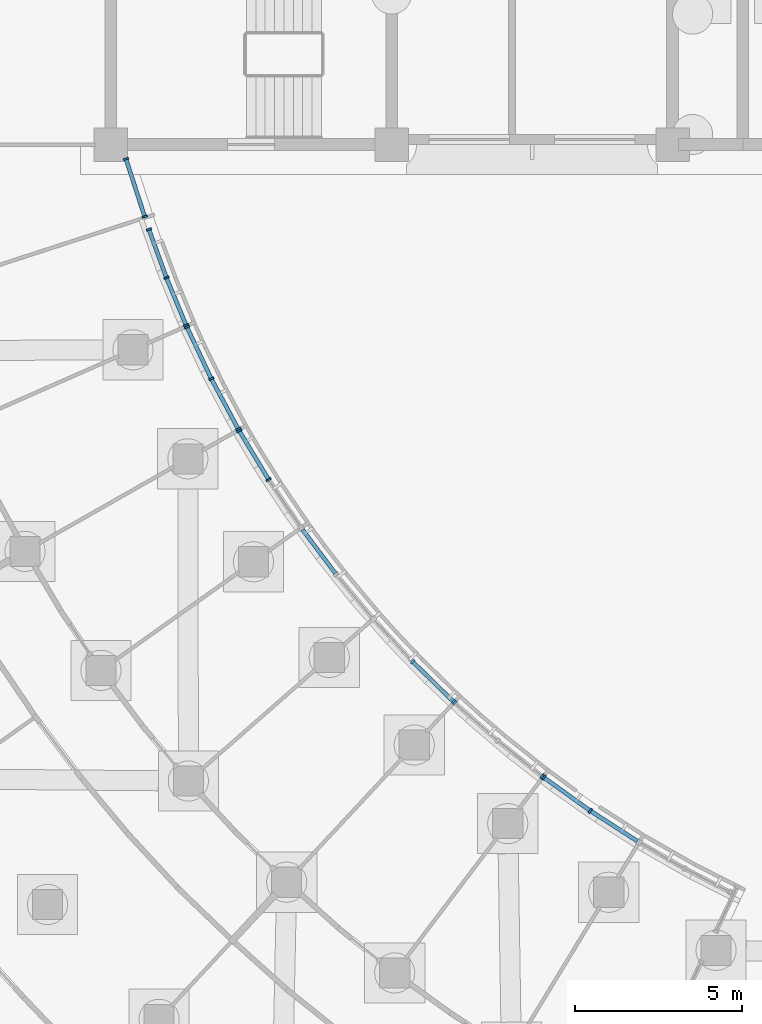
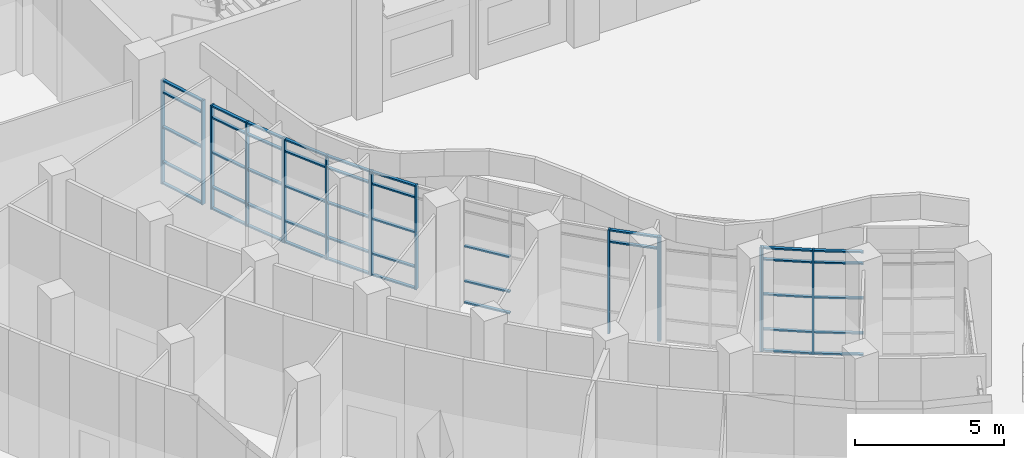
# One storey, part 27 of 146: 61 members, 8 elements without a shape of their own.
"""IFC4 building model written with IfcOpenShell, lengths in metres."""

import ifcopenshell
import ifcopenshell.guid

model = None  # the IFC model being written
_history = None  # IfcOwnerHistory: only IFC2X3 demands one
_inside = {}  # id of a spatial element -> (the spatial element, [elements in it])
_under = {}  # id of a project, library or spatial element -> (it, [spatial elements below it])
_declared = {}  # id of a project -> (the project, [libraries it declares])
_typed = {}  # id of a type object -> (the type object, [elements of that type])
_made_of = {}  # id of a material, layer set ... -> (it, [elements and type objects made of it])


def new_model(schema):
    """Start an empty IFC model of exactly this schema.

    Asked for "IFC4X3", IfcOpenShell would pick the latest addendum, in which some entities
    have other attributes; the version numbers below select the first issue.
    IFC2X3 requires an IfcOwnerHistory on every rooted entity: one is made here for all.
    """
    global model, _history
    if schema == "IFC4X3":
        model = ifcopenshell.file(schema_version=(4, 3, 0, 0))
    else:
        model = ifcopenshell.file(schema=schema)
    _inside.clear()
    _under.clear()
    _declared.clear()
    _typed.clear()
    _made_of.clear()
    _history = None
    if model.schema == "IFC2X3":
        org = make("IfcOrganization", Name="unknown")
        user = make(
            "IfcPersonAndOrganization",
            ThePerson=make("IfcPerson", FamilyName="unknown"),
            TheOrganization=org,
        )
        app = make(
            "IfcApplication",
            ApplicationDeveloper=org,
            Version="unknown",
            ApplicationFullName="unknown",
            ApplicationIdentifier="unknown",
        )
        _history = make(
            "IfcOwnerHistory",
            OwningUser=user,
            OwningApplication=app,
            ChangeAction="ADDED",
            CreationDate=0,
        )
    return model


def make(cls, **values):
    """One entity of the class cls with the attributes given. An attribute that is None is left unset."""
    return model.create_entity(
        cls, **{name: value for name, value in values.items() if value is not None}
    )


def rooted(cls, **values):
    """An entity with a GlobalId (a new one), such as an element, a storey or a relation."""
    return make(cls, GlobalId=ifcopenshell.guid.new(), OwnerHistory=_history, **values)


def si_unit(unit_type, name, prefix=None):
    """IfcSIUnit, for example si_unit("LENGTHUNIT", "METRE", prefix="MILLI")."""
    return make("IfcSIUnit", UnitType=unit_type, Prefix=prefix, Name=name)


def assignment(units):
    """IfcUnitAssignment: the units of a project."""
    return None if units is None else make("IfcUnitAssignment", Units=units)


def point(xyz):
    """IfcCartesianPoint."""
    return None if xyz is None else make("IfcCartesianPoint", Coordinates=xyz)


def direction(xyz):
    """IfcDirection."""
    return None if xyz is None else make("IfcDirection", DirectionRatios=xyz)


def frame(location, z_axis=None, x_axis=None):
    """IfcAxis2Placement3D, a coordinate frame: its origin and axes. An axis left out is left unset."""
    return make(
        "IfcAxis2Placement3D",
        Location=point(location),
        Axis=direction(z_axis),
        RefDirection=direction(x_axis),
    )


def frame_2d(location, x_axis=None):
    """IfcAxis2Placement2D, a coordinate frame in the plane: its origin and x axis."""
    return make(
        "IfcAxis2Placement2D", Location=point(location), RefDirection=direction(x_axis)
    )


def origin():
    """The frame at (0, 0, 0) with its axes left unset."""
    return frame((0.0, 0.0, 0.0))


def origin_2d():
    """The frame at (0, 0) in the plane with its x axis left unset."""
    return frame_2d((0.0, 0.0))


def place(relative_to, where):
    """IfcLocalPlacement: puts the frame where relative to a parent placement (None: the world)."""
    return make(
        "IfcLocalPlacement", PlacementRelTo=relative_to, RelativePlacement=where
    )


def context(
    kind, dimensions, precision=None, world=None, true_north=None, identifier=None
):
    """IfcGeometricRepresentationContext, for example the 3D "Model" context."""
    return make(
        "IfcGeometricRepresentationContext",
        ContextIdentifier=identifier,
        ContextType=kind,
        CoordinateSpaceDimension=dimensions,
        Precision=precision,
        WorldCoordinateSystem=world,
        TrueNorth=true_north,
    )


def subcontext(parent, identifier, kind, view, scale=None):
    """IfcGeometricRepresentationSubContext, for example "Body" below "Model"."""
    return make(
        "IfcGeometricRepresentationSubContext",
        ContextIdentifier=identifier,
        ContextType=kind,
        ParentContext=parent,
        TargetScale=scale,
        TargetView=view,
    )


def project(units=None, contexts=None):
    """IfcProject with its units and contexts."""
    return rooted(
        "IfcProject",
        Name="project",
        RepresentationContexts=contexts,
        UnitsInContext=assignment(units),
    )


def spatial(cls, under=None, at=None, **own):
    """A site, building, storey or space (cls), placed at a placement, below another one or the project."""
    s = rooted(cls, ObjectPlacement=at, **own)
    if under is not None:
        _under.setdefault(under.id(), (under, []))[1].append(s)
    return s


def profile(cls, at=None, kind="AREA", **sizes):
    """A parametric profile (cls). Its sizes go by their IFC names, for example OverallWidth=200.0."""
    return make(cls, ProfileType=kind, Position=at, **sizes)


def rectangle(**sizes):
    """IfcRectangleProfileDef."""
    return profile("IfcRectangleProfileDef", **sizes)


def extrude(swept, where, along, depth):
    """IfcExtrudedAreaSolid: the profile swept, set in the frame where, extruded along a direction by depth."""
    return make(
        "IfcExtrudedAreaSolid",
        SweptArea=swept,
        Position=where,
        ExtrudedDirection=direction(along),
        Depth=depth,
    )


def shape(context_of_items, identifier, shape_type, items):
    """IfcShapeRepresentation: the items that make up one representation, for example the "Body"."""
    return make(
        "IfcShapeRepresentation",
        ContextOfItems=context_of_items,
        RepresentationIdentifier=identifier,
        RepresentationType=shape_type,
        Items=items,
    )


def material(Name=None, Category=None):
    """IfcMaterial."""
    return make("IfcMaterial", Name=Name, Category=Category)


def material_profile(
    of_material, cross_section, Name=None, Category=None, Priority=None
):
    """IfcMaterialProfile: a cross section and its material."""
    return make(
        "IfcMaterialProfile",
        Name=Name,
        Material=of_material,
        Profile=cross_section,
        Priority=Priority,
        Category=Category,
    )


def profile_set(profiles, Name=None, composite=None):
    """IfcMaterialProfileSet."""
    return make(
        "IfcMaterialProfileSet",
        Name=Name,
        MaterialProfiles=profiles,
        CompositeProfile=composite,
    )


def made_of(thing, what):
    """Note that an element or type object is made of a material, layer set ...; save() writes the relation."""
    if what is not None:
        _made_of.setdefault(what.id(), (what, []))[1].append(thing)
    return thing


def type_object(cls, material=None, **own):
    """A type object (cls), such as IfcWallType, which elements share."""
    return made_of(rooted(cls, **own), material)


def element(
    cls,
    number,
    at=None,
    inside=None,
    cuts=None,
    type_object=None,
    material=None,
    context=None,
    identifier="Body",
    shape_type=None,
    held_by="IfcProductDefinitionShape",
    body=None,
    shapes=None,
    **own,
):
    """One element of the class cls, such as IfcWall. Its Tag is "e" and its number.

    at: its placement. inside: the storey or other place that contains it. cuts: it is an
    opening in that element (IfcRelVoidsElement). A single representation is given by context,
    identifier, shape_type and body (its items); several are given by shapes. held_by: the class
    of the entity that holds the representations. save() writes the other relations.
    """
    e = rooted(cls, Tag="e%d" % number, ObjectPlacement=at, **own)
    if body is not None:
        shapes = [shape(context, identifier, shape_type, body)]
    if shapes is not None:
        e.Representation = make(held_by, Representations=shapes)
    if inside is not None:
        _inside.setdefault(inside.id(), (inside, []))[1].append(e)
    if cuts is not None:
        rooted(
            "IfcRelVoidsElement", RelatingBuildingElement=cuts, RelatedOpeningElement=e
        )
    if type_object is not None:
        _typed.setdefault(type_object.id(), (type_object, []))[1].append(e)
    return made_of(e, material)


def aggregate(whole, parts):
    """IfcRelAggregates: a whole, such as a stair, and the parts it consists of."""
    return rooted("IfcRelAggregates", RelatingObject=whole, RelatedObjects=parts)


def save(model, path):
    """Write the relations noted so far, then the file.

    IfcRelAggregates (storeys below a building ...), IfcRelContainedInSpatialStructure (elements
    in a storey), IfcRelDefinesByType, IfcRelAssociatesMaterial and IfcRelDeclares: one each for
    every whole, place, type object, material and project.
    """
    for whole, parts in _under.values():
        aggregate(whole, parts)
    for where, things in _inside.values():
        rooted(
            "IfcRelContainedInSpatialStructure",
            RelatedElements=things,
            RelatingStructure=where,
        )
    for kind, things in _typed.values():
        rooted("IfcRelDefinesByType", RelatedObjects=things, RelatingType=kind)
    for what, things in _made_of.values():
        rooted("IfcRelAssociatesMaterial", RelatedObjects=things, RelatingMaterial=what)
    for by, libraries in _declared.values():
        rooted("IfcRelDeclares", RelatingContext=by, RelatedDefinitions=libraries)
    model.write(path)


model = new_model("IFC4")

# Units and contexts
model_context = context("Model", 3, precision=1e-05, world=origin(), true_north=direction((0.0, 1.0)))
body_context = subcontext(model_context, "Body", "Model", "MODEL_VIEW")
ifc_project = project(units=[si_unit("LENGTHUNIT", "METRE"), si_unit("AREAUNIT", "SQUARE_METRE"), si_unit("VOLUMEUNIT", "CUBIC_METRE"), si_unit("PLANEANGLEUNIT", "RADIAN"), si_unit("MASSUNIT", "GRAM", prefix="KILO")], contexts=[model_context])

# Site, building, storey
site_placement = place(None, origin())
site = spatial("IfcSite", under=ifc_project, at=site_placement, CompositionType="ELEMENT")
building_placement = place(site_placement, origin())
building = spatial("IfcBuilding", under=site, at=building_placement, Name="Bougainvillea Quay General Hospital", CompositionType="ELEMENT")
storey_placement = place(building_placement, origin())
storey = spatial("IfcBuildingStorey", under=building, at=storey_placement, Name="L00", CompositionType="ELEMENT", Elevation=0.0)

# Curtain wall, members
ifc_material_1 = material(Name="Aluminium curtain wall system, powder-coated glazed", Category="aluminium")
curtain_wall_type_1 = type_object("IfcCurtainWallType", Name="Unitised curtain wall CW-2100", PredefinedType="NOTDEFINED", material=ifc_material_1)
curtain_wall_1_placement = place(storey_placement, origin())
curtain_wall_1 = element("IfcCurtainWall", 1, at=curtain_wall_1_placement, inside=storey, type_object=curtain_wall_type_1, Name="CW-W02 a11b1", PredefinedType="NOTDEFINED")
ifc_material_2 = material(Name="Aluminium mullion, powder-coated charcoal", Category="aluminium")
ifc_material_profile_1 = material_profile(ifc_material_2, rectangle(XDim=0.159912109375, YDim=0.06005859375, at=origin_2d()))
ifc_profile_set_1 = profile_set([ifc_material_profile_1], Name="Aluminium mullion, powder-coated charcoal")
member_type_1 = type_object("IfcMemberType", Name="Curtain wall mullion 160x60", PredefinedType="MULLION", material=ifc_profile_set_1)
member_1_placement = place(storey_placement, frame((89.939697265625, 97.6787109375, 0.0), z_axis=(0.0, 0.0, 1.0), x_axis=(-0.562343185136, -0.826903949762, 0.0)))
member_1 = element("IfcMember", 2, at=member_1_placement, type_object=member_type_1, Name="CW-W02 mullion 2", PredefinedType="MULLION", context=body_context, shape_type="SweptSolid", body=[
    extrude(rectangle(XDim=0.159912109375, YDim=0.06005859375, at=origin_2d()), origin(), (0.0, 0.0, 1.0), 4.25),
])
member_2_placement = place(storey_placement, frame((88.552978515625, 98.674072265625, 0.0), z_axis=(0.0, 0.0, 1.0), x_axis=(-0.583130104218, -0.812378779606, 0.0)))
member_2 = element("IfcMember", 3, at=member_2_placement, type_object=member_type_1, Name="CW-W02 mullion 3", PredefinedType="MULLION", context=body_context, shape_type="SweptSolid", body=[
    extrude(rectangle(XDim=0.159912109375, YDim=0.06005859375, at=origin_2d()), origin(), (0.0, 0.0, 1.0), 4.25),
])

curtain_wall_2_placement = place(storey_placement, origin())
curtain_wall_2 = element("IfcCurtainWall", 4, at=curtain_wall_2_placement, inside=storey, type_object=curtain_wall_type_1, Name="CW-W03 a11b2", PredefinedType="NOTDEFINED")
member_3_placement = place(storey_placement, frame((88.50537109375, 98.710205078125, 0.0), z_axis=(0.0, 0.0, 1.0), x_axis=(-0.623565824026, -0.781770850765, 0.0)))
member_3 = element("IfcMember", 5, at=member_3_placement, type_object=member_type_1, Name="CW-W03 mullion 1", PredefinedType="MULLION", context=body_context, shape_type="SweptSolid", body=[
    extrude(rectangle(XDim=0.159912109375, YDim=0.06005859375, at=origin_2d()), origin(), (0.0, 0.0, 1.0), 4.25),
])
member_4_placement = place(storey_placement, frame((85.89208984375, 100.9052734375, 0.0), z_axis=(0.0, 0.0, 1.0), x_axis=(-0.662397799417, -0.749152291145, 0.0)))
member_4 = element("IfcMember", 6, at=member_4_placement, type_object=member_type_1, Name="CW-W03 mullion 3", PredefinedType="MULLION", context=body_context, shape_type="SweptSolid", body=[
    extrude(rectangle(XDim=0.159912109375, YDim=0.06005859375, at=origin_2d()), origin(), (0.0, 0.0, 1.0), 4.25),
])
aggregate(curtain_wall_2, [member_3, member_4])

curtain_wall_3_placement = place(storey_placement, origin())
curtain_wall_3 = element("IfcCurtainWall", 7, at=curtain_wall_3_placement, inside=storey, type_object=curtain_wall_type_1, Name="CW-W04 a11b3", PredefinedType="NOTDEFINED")
member_5_placement = place(storey_placement, frame((85.84814453125, 100.946044921875, 0.0), z_axis=(0.0, 0.0, 1.0), x_axis=(-0.699526158712, -0.714606992183, 0.0)))
member_5 = element("IfcMember", 8, at=member_5_placement, type_object=member_type_1, Name="CW-W04 mullion 1", PredefinedType="MULLION", context=body_context, shape_type="SweptSolid", body=[
    extrude(rectangle(XDim=0.159912109375, YDim=0.06005859375, at=origin_2d()), origin(), (0.0, 0.0, 1.0), 4.25),
])
member_6_placement = place(storey_placement, frame((84.62841796875, 102.14013671875, 0.0), z_axis=(0.0, 0.0, 1.0), x_axis=(-0.717421463702, -0.69663939267, 0.0)))
member_6 = element("IfcMember", 9, at=member_6_placement, type_object=member_type_1, Name="CW-W04 mullion 2", PredefinedType="MULLION", context=body_context, shape_type="SweptSolid", body=[
    extrude(rectangle(XDim=0.159912109375, YDim=0.06005859375, at=origin_2d()), origin(), (0.0, 0.0, 1.0), 4.25),
])

curtain_wall_4_placement = place(storey_placement, origin())
curtain_wall_4 = element("IfcCurtainWall", 10, at=curtain_wall_4_placement, inside=storey, type_object=curtain_wall_type_1, Name="CW-W06 a11b5", PredefinedType="NOTDEFINED")
member_7_placement = place(storey_placement, frame((80.32470703125, 107.580322265625, 0.0), z_axis=(0.0, 0.0, 1.0), x_axis=(-0.843072457331, -0.537799992275, 0.0)))
member_7 = element("IfcMember", 11, at=member_7_placement, type_object=member_type_1, Name="CW-W06 mullion 2", PredefinedType="MULLION", context=body_context, shape_type="SweptSolid", body=[
    extrude(rectangle(XDim=0.159912109375, YDim=0.06005859375, at=origin_2d()), origin(), (0.0, 0.0, 1.0), 4.25),
])
member_8_placement = place(storey_placement, frame((79.443603515625, 109.042236328125, 0.0), z_axis=(0.0, 0.0, 1.0), x_axis=(-0.856438326455, -0.516249351553, 0.0)))
member_8 = element("IfcMember", 12, at=member_8_placement, type_object=member_type_1, Name="CW-W06 mullion 3", PredefinedType="MULLION", context=body_context, shape_type="SweptSolid", body=[
    extrude(rectangle(XDim=0.159912109375, YDim=0.06005859375, at=origin_2d()), origin(), (0.0, 0.0, 1.0), 4.25),
])

curtain_wall_5_placement = place(storey_placement, origin())
curtain_wall_5 = element("IfcCurtainWall", 13, at=curtain_wall_5_placement, inside=storey, type_object=curtain_wall_type_1, Name="CW-W07 a11b6", PredefinedType="NOTDEFINED")
member_9_placement = place(storey_placement, frame((79.4140625, 109.094482421875, 0.0), z_axis=(0.0, 0.0, 1.0), x_axis=(-0.881509557333, -0.472166178724, 0.0)))
member_9 = element("IfcMember", 14, at=member_9_placement, type_object=member_type_1, Name="CW-W07 mullion 1", PredefinedType="MULLION", context=body_context, shape_type="SweptSolid", body=[
    extrude(rectangle(XDim=0.159912109375, YDim=0.06005859375, at=origin_2d()), origin(), (0.0, 0.0, 1.0), 4.25),
])
member_10_placement = place(storey_placement, frame((78.60791015625, 110.59912109375, 0.0), z_axis=(0.0, 0.0, 1.0), x_axis=(-0.893198796365, -0.449661995473, 0.0)))
member_10 = element("IfcMember", 15, at=member_10_placement, type_object=member_type_1, Name="CW-W07 mullion 2", PredefinedType="MULLION", context=body_context, shape_type="SweptSolid", body=[
    extrude(rectangle(XDim=0.159912109375, YDim=0.06005859375, at=origin_2d()), origin(), (0.0, 0.0, 1.0), 4.25),
])
member_11_placement = place(storey_placement, frame((77.87939453125, 112.142822265625, 0.0), z_axis=(0.0, 0.0, 1.0), x_axis=(-0.904313640176, -0.426868645126, 0.0)))
member_11 = element("IfcMember", 16, at=member_11_placement, type_object=member_type_1, Name="CW-W07 mullion 3", PredefinedType="MULLION", context=body_context, shape_type="SweptSolid", body=[
    extrude(rectangle(XDim=0.159912109375, YDim=0.06005859375, at=origin_2d()), origin(), (0.0, 0.0, 1.0), 4.25),
])

curtain_wall_6_placement = place(storey_placement, origin())
curtain_wall_6 = element("IfcCurtainWall", 17, at=curtain_wall_6_placement, inside=storey, type_object=curtain_wall_type_1, Name="CW-W08 a11b7", PredefinedType="NOTDEFINED")
member_12_placement = place(storey_placement, frame((77.85498046875, 112.197509765625, 0.0), z_axis=(0.0, 0.0, 1.0), x_axis=(-0.923843470036, -0.382770483282, 0.0)))
member_12 = element("IfcMember", 18, at=member_12_placement, type_object=member_type_1, Name="CW-W08 mullion 1", PredefinedType="MULLION", context=body_context, shape_type="SweptSolid", body=[
    extrude(rectangle(XDim=0.159912109375, YDim=0.06005859375, at=origin_2d()), origin(), (0.0, 0.0, 1.0), 4.25),
])
member_13_placement = place(storey_placement, frame((77.266845703125, 113.6171875, 0.0), z_axis=(0.0, 0.0, 1.0), x_axis=(-0.932356633806, -0.361539911211, 0.0)))
member_13 = element("IfcMember", 19, at=member_13_placement, type_object=member_type_1, Name="CW-W08 mullion 2", PredefinedType="MULLION", context=body_context, shape_type="SweptSolid", body=[
    extrude(rectangle(XDim=0.159912109375, YDim=0.06005859375, at=origin_2d()), origin(), (0.0, 0.0, 1.0), 4.25),
])
member_14_placement = place(storey_placement, frame((76.744140625, 115.0625, 0.0), z_axis=(0.0, 0.0, 1.0), x_axis=(-0.940381978185, -0.340120177444, 0.0)))
member_14 = element("IfcMember", 20, at=member_14_placement, type_object=member_type_1, Name="CW-W08 mullion 3", PredefinedType="MULLION", context=body_context, shape_type="SweptSolid", body=[
    extrude(rectangle(XDim=0.159912109375, YDim=0.06005859375, at=origin_2d()), origin(), (0.0, 0.0, 1.0), 4.25),
])

curtain_wall_type_2 = type_object("IfcCurtainWallType", Name="Unitised curtain wall CW-1875", PredefinedType="NOTDEFINED", material=ifc_material_1)
curtain_wall_7_placement = place(storey_placement, origin())
curtain_wall_7 = element("IfcCurtainWall", 21, at=curtain_wall_7_placement, inside=storey, type_object=curtain_wall_type_2, Name="CW-AE 00", PredefinedType="NOTDEFINED")
member_15_placement = place(storey_placement, frame((76.616943359375, 115.4443359375, 0.0), z_axis=(0.0, 0.0, 1.0), x_axis=(-0.951071619809, -0.308970506674, 0.0)))
member_15 = element("IfcMember", 22, at=member_15_placement, type_object=member_type_1, Name="CW-AE mullion 1", PredefinedType="MULLION", context=body_context, shape_type="SweptSolid", body=[
    extrude(rectangle(XDim=0.159912109375, YDim=0.06005859375, at=origin_2d()), origin(), (0.0, 0.0, 1.0), 4.25),
])
member_16_placement = place(storey_placement, frame((76.056396484375, 117.169921875, 0.0), z_axis=(0.0, 0.0, 1.0), x_axis=(-0.951071619809, -0.308970506674, 0.0)))
member_16 = element("IfcMember", 23, at=member_16_placement, type_object=member_type_1, Name="CW-AE mullion 2", PredefinedType="MULLION", context=body_context, shape_type="SweptSolid", body=[
    extrude(rectangle(XDim=0.159912109375, YDim=0.06005859375, at=origin_2d()), origin(), (0.0, 0.0, 1.0), 4.25),
])

# Member
ifc_material_3 = material(Name="Aluminium transom, powder-coated charcoal", Category="aluminium")
ifc_material_profile_2 = material_profile(ifc_material_3, rectangle(XDim=0.1201171875, YDim=0.06005859375, at=origin_2d()))
ifc_profile_set_2 = profile_set([ifc_material_profile_2], Name="Aluminium transom, powder-coated charcoal")
member_type_2 = type_object("IfcMemberType", Name="Curtain wall transom 120x60", PredefinedType="USERDEFINED", material=ifc_profile_set_2)
member_17_placement = place(storey_placement, frame((91.349853515625, 96.77099609375, 0.030029296875), z_axis=(-0.840860427207, 0.541252013352, 0.0), x_axis=(-0.541252013352, -0.840860427207, 0.0)))
member_17 = element("IfcMember", 24, at=member_17_placement, type_object=member_type_2, Name="CW-W02 transom 1.1", ObjectType="TRANSOM", PredefinedType="USERDEFINED", context=body_context, shape_type="SweptSolid", body=[
    extrude(rectangle(XDim=0.1201171875, YDim=0.06005859375, at=origin_2d()), origin(), (0.0, 0.0, 1.0), 1.646728515625),
])

member_18_placement = place(storey_placement, frame((91.349853515625, 96.77099609375, 0.89990234375), z_axis=(-0.840860427207, 0.541252013352, 0.0), x_axis=(-0.541252013352, -0.840860427207, 0.0)))
member_18 = element("IfcMember", 25, at=member_18_placement, type_object=member_type_2, Name="CW-W02 transom 1.2", ObjectType="TRANSOM", PredefinedType="USERDEFINED", context=body_context, shape_type="SweptSolid", body=[
    extrude(rectangle(XDim=0.1201171875, YDim=0.06005859375, at=origin_2d()), origin(), (0.0, 0.0, 1.0), 1.646728515625),
])

member_19_placement = place(storey_placement, frame((91.349853515625, 96.77099609375, 2.324951171875), z_axis=(-0.840860427207, 0.541252013352, 0.0), x_axis=(-0.541252013352, -0.840860427207, 0.0)))
member_19 = element("IfcMember", 26, at=member_19_placement, type_object=member_type_2, Name="CW-W02 transom 1.3", ObjectType="TRANSOM", PredefinedType="USERDEFINED", context=body_context, shape_type="SweptSolid", body=[
    extrude(rectangle(XDim=0.1201171875, YDim=0.06005859375, at=origin_2d()), origin(), (0.0, 0.0, 1.0), 1.646728515625),
])

member_20_placement = place(storey_placement, frame((91.349853515625, 96.77099609375, 3.75), z_axis=(-0.840860427207, 0.541252013352, 0.0), x_axis=(-0.541252013352, -0.840860427207, 0.0)))
member_20 = element("IfcMember", 27, at=member_20_placement, type_object=member_type_2, Name="CW-W02 transom 1.4", ObjectType="TRANSOM", PredefinedType="USERDEFINED", context=body_context, shape_type="SweptSolid", body=[
    extrude(rectangle(XDim=0.1201171875, YDim=0.06005859375, at=origin_2d()), origin(), (0.0, 0.0, 1.0), 1.646728515625),
])

member_21_placement = place(storey_placement, frame((91.349853515625, 96.77099609375, 4.219970703125), z_axis=(-0.840860427207, 0.541252013352, 0.0), x_axis=(-0.541252013352, -0.840860427207, 0.0)))
member_21 = element("IfcMember", 28, at=member_21_placement, type_object=member_type_2, Name="CW-W02 transom 1.5", ObjectType="TRANSOM", PredefinedType="USERDEFINED", context=body_context, shape_type="SweptSolid", body=[
    extrude(rectangle(XDim=0.1201171875, YDim=0.06005859375, at=origin_2d()), origin(), (0.0, 0.0, 1.0), 1.646728515625),
])

member_22_placement = place(storey_placement, frame((89.91552734375, 97.696044921875, 0.030029296875), z_axis=(-0.812399348414, 0.583101448032, 0.0), x_axis=(-0.583101448032, -0.812399348414, 0.0)))
member_22 = element("IfcMember", 29, at=member_22_placement, type_object=member_type_2, Name="CW-W02 transom 2.1", ObjectType="TRANSOM", PredefinedType="USERDEFINED", context=body_context, shape_type="SweptSolid", body=[
    extrude(rectangle(XDim=0.1201171875, YDim=0.06005859375, at=origin_2d()), origin(), (0.0, 0.0, 1.0), 1.647216796875),
])

member_23_placement = place(storey_placement, frame((89.91552734375, 97.696044921875, 0.89990234375), z_axis=(-0.812399348414, 0.583101448032, 0.0), x_axis=(-0.583101448032, -0.812399348414, 0.0)))
member_23 = element("IfcMember", 30, at=member_23_placement, type_object=member_type_2, Name="CW-W02 transom 2.2", ObjectType="TRANSOM", PredefinedType="USERDEFINED", context=body_context, shape_type="SweptSolid", body=[
    extrude(rectangle(XDim=0.1201171875, YDim=0.06005859375, at=origin_2d()), origin(), (0.0, 0.0, 1.0), 1.647216796875),
])

member_24_placement = place(storey_placement, frame((89.91552734375, 97.696044921875, 2.324951171875), z_axis=(-0.812399348414, 0.583101448032, 0.0), x_axis=(-0.583101448032, -0.812399348414, 0.0)))
member_24 = element("IfcMember", 31, at=member_24_placement, type_object=member_type_2, Name="CW-W02 transom 2.3", ObjectType="TRANSOM", PredefinedType="USERDEFINED", context=body_context, shape_type="SweptSolid", body=[
    extrude(rectangle(XDim=0.1201171875, YDim=0.06005859375, at=origin_2d()), origin(), (0.0, 0.0, 1.0), 1.647216796875),
])

member_25_placement = place(storey_placement, frame((89.91552734375, 97.696044921875, 3.75), z_axis=(-0.812399348414, 0.583101448032, 0.0), x_axis=(-0.583101448032, -0.812399348414, 0.0)))
member_25 = element("IfcMember", 32, at=member_25_placement, type_object=member_type_2, Name="CW-W02 transom 2.4", ObjectType="TRANSOM", PredefinedType="USERDEFINED", context=body_context, shape_type="SweptSolid", body=[
    extrude(rectangle(XDim=0.1201171875, YDim=0.06005859375, at=origin_2d()), origin(), (0.0, 0.0, 1.0), 1.647216796875),
])

member_26_placement = place(storey_placement, frame((89.91552734375, 97.696044921875, 4.219970703125), z_axis=(-0.812399348414, 0.583101448032, 0.0), x_axis=(-0.583101448032, -0.812399348414, 0.0)))
member_26 = element("IfcMember", 33, at=member_26_placement, type_object=member_type_2, Name="CW-W02 transom 2.5", ObjectType="TRANSOM", PredefinedType="USERDEFINED", context=body_context, shape_type="SweptSolid", body=[
    extrude(rectangle(XDim=0.1201171875, YDim=0.06005859375, at=origin_2d()), origin(), (0.0, 0.0, 1.0), 1.647216796875),
])

aggregate(curtain_wall_1, [member_1, member_2, member_17, member_18, member_19, member_20, member_21, member_22, member_23, member_24, member_25, member_26])

member_27_placement = place(storey_placement, frame((85.82666015625, 100.967041015625, 3.75), z_axis=(-0.714553654445, 0.699580642184, 0.0), x_axis=(-0.699580642184, -0.714553654445, 0.0)))
member_27 = element("IfcMember", 34, at=member_27_placement, type_object=member_type_2, Name="CW-W04 transom 1.4", ObjectType="TRANSOM", PredefinedType="USERDEFINED", context=body_context, shape_type="SweptSolid", body=[
    extrude(rectangle(XDim=0.1201171875, YDim=0.06005859375, at=origin_2d()), origin(), (0.0, 0.0, 1.0), 1.646728515625),
])

member_28_placement = place(storey_placement, frame((85.82666015625, 100.967041015625, 4.219970703125), z_axis=(-0.714553654445, 0.699580642184, 0.0), x_axis=(-0.699580642184, -0.714553654445, 0.0)))
member_28 = element("IfcMember", 35, at=member_28_placement, type_object=member_type_2, Name="CW-W04 transom 1.5", ObjectType="TRANSOM", PredefinedType="USERDEFINED", context=body_context, shape_type="SweptSolid", body=[
    extrude(rectangle(XDim=0.1201171875, YDim=0.06005859375, at=origin_2d()), origin(), (0.0, 0.0, 1.0), 1.646728515625),
])

aggregate(curtain_wall_3, [member_5, member_6, member_27, member_28])

# Curtain wall, members
curtain_wall_8_placement = place(storey_placement, origin())
curtain_wall_8 = element("IfcCurtainWall", 36, at=curtain_wall_8_placement, inside=storey, type_object=curtain_wall_type_1, Name="CW-W05 a11b4", PredefinedType="NOTDEFINED")
member_29_placement = place(storey_placement, frame((82.320556640625, 104.775146484375, 0.030029296875), z_axis=(-0.600355707015, 0.799733096135, 0.0), x_axis=(-0.799733096135, -0.600355707015, 0.0)))
member_29 = element("IfcMember", 37, at=member_29_placement, type_object=member_type_2, Name="CW-W05 transom 2.1", ObjectType="TRANSOM", PredefinedType="USERDEFINED", context=body_context, shape_type="SweptSolid", body=[
    extrude(rectangle(XDim=0.1201171875, YDim=0.06005859375, at=origin_2d()), origin(), (0.0, 0.0, 1.0), 1.64697265625),
])
member_30_placement = place(storey_placement, frame((82.320556640625, 104.775146484375, 0.89990234375), z_axis=(-0.600355707015, 0.799733096135, 0.0), x_axis=(-0.799733096135, -0.600355707015, 0.0)))
member_30 = element("IfcMember", 38, at=member_30_placement, type_object=member_type_2, Name="CW-W05 transom 2.2", ObjectType="TRANSOM", PredefinedType="USERDEFINED", context=body_context, shape_type="SweptSolid", body=[
    extrude(rectangle(XDim=0.1201171875, YDim=0.06005859375, at=origin_2d()), origin(), (0.0, 0.0, 1.0), 1.64697265625),
])
member_31_placement = place(storey_placement, frame((82.320556640625, 104.775146484375, 2.324951171875), z_axis=(-0.600355707015, 0.799733096135, 0.0), x_axis=(-0.799733096135, -0.600355707015, 0.0)))
member_31 = element("IfcMember", 39, at=member_31_placement, type_object=member_type_2, Name="CW-W05 transom 2.3", ObjectType="TRANSOM", PredefinedType="USERDEFINED", context=body_context, shape_type="SweptSolid", body=[
    extrude(rectangle(XDim=0.1201171875, YDim=0.06005859375, at=origin_2d()), origin(), (0.0, 0.0, 1.0), 1.64697265625),
])
aggregate(curtain_wall_8, [member_29, member_30, member_31])

# Member
member_32_placement = place(storey_placement, frame((80.309326171875, 107.606201171875, 0.030029296875), z_axis=(-0.516217069017, 0.856457785098, 0.0), x_axis=(-0.856457785098, -0.516217069017, 0.0)))
member_32 = element("IfcMember", 40, at=member_32_placement, type_object=member_type_2, Name="CW-W06 transom 2.1", ObjectType="TRANSOM", PredefinedType="USERDEFINED", context=body_context, shape_type="SweptSolid", body=[
    extrude(rectangle(XDim=0.1201171875, YDim=0.06005859375, at=origin_2d()), origin(), (0.0, 0.0, 1.0), 1.646728515625),
])

member_33_placement = place(storey_placement, frame((80.309326171875, 107.606201171875, 0.89990234375), z_axis=(-0.516217069017, 0.856457785098, 0.0), x_axis=(-0.856457785098, -0.516217069017, 0.0)))
member_33 = element("IfcMember", 41, at=member_33_placement, type_object=member_type_2, Name="CW-W06 transom 2.2", ObjectType="TRANSOM", PredefinedType="USERDEFINED", context=body_context, shape_type="SweptSolid", body=[
    extrude(rectangle(XDim=0.1201171875, YDim=0.06005859375, at=origin_2d()), origin(), (0.0, 0.0, 1.0), 1.646728515625),
])

member_34_placement = place(storey_placement, frame((80.309326171875, 107.606201171875, 2.324951171875), z_axis=(-0.516217069017, 0.856457785098, 0.0), x_axis=(-0.856457785098, -0.516217069017, 0.0)))
member_34 = element("IfcMember", 42, at=member_34_placement, type_object=member_type_2, Name="CW-W06 transom 2.3", ObjectType="TRANSOM", PredefinedType="USERDEFINED", context=body_context, shape_type="SweptSolid", body=[
    extrude(rectangle(XDim=0.1201171875, YDim=0.06005859375, at=origin_2d()), origin(), (0.0, 0.0, 1.0), 1.646728515625),
])

member_35_placement = place(storey_placement, frame((80.309326171875, 107.606201171875, 3.75), z_axis=(-0.516217069017, 0.856457785098, 0.0), x_axis=(-0.856457785098, -0.516217069017, 0.0)))
member_35 = element("IfcMember", 43, at=member_35_placement, type_object=member_type_2, Name="CW-W06 transom 2.4", ObjectType="TRANSOM", PredefinedType="USERDEFINED", context=body_context, shape_type="SweptSolid", body=[
    extrude(rectangle(XDim=0.1201171875, YDim=0.06005859375, at=origin_2d()), origin(), (0.0, 0.0, 1.0), 1.646728515625),
])

member_36_placement = place(storey_placement, frame((80.309326171875, 107.606201171875, 4.219970703125), z_axis=(-0.516217069017, 0.856457785098, 0.0), x_axis=(-0.856457785098, -0.516217069017, 0.0)))
member_36 = element("IfcMember", 44, at=member_36_placement, type_object=member_type_2, Name="CW-W06 transom 2.5", ObjectType="TRANSOM", PredefinedType="USERDEFINED", context=body_context, shape_type="SweptSolid", body=[
    extrude(rectangle(XDim=0.1201171875, YDim=0.06005859375, at=origin_2d()), origin(), (0.0, 0.0, 1.0), 1.646728515625),
])

aggregate(curtain_wall_4, [member_7, member_8, member_32, member_33, member_34, member_35, member_36])

member_37_placement = place(storey_placement, frame((79.39990234375, 109.120849609375, 0.030029296875), z_axis=(-0.472233752021, 0.881473359468, 0.0), x_axis=(-0.881473359468, -0.472233752021, 0.0)))
member_37 = element("IfcMember", 45, at=member_37_placement, type_object=member_type_2, Name="CW-W07 transom 1.1", ObjectType="TRANSOM", PredefinedType="USERDEFINED", context=body_context, shape_type="SweptSolid", body=[
    extrude(rectangle(XDim=0.1201171875, YDim=0.06005859375, at=origin_2d()), origin(), (0.0, 0.0, 1.0), 1.647216796875),
])

member_38_placement = place(storey_placement, frame((79.39990234375, 109.120849609375, 0.89990234375), z_axis=(-0.472233752021, 0.881473359468, 0.0), x_axis=(-0.881473359468, -0.472233752021, 0.0)))
member_38 = element("IfcMember", 46, at=member_38_placement, type_object=member_type_2, Name="CW-W07 transom 1.2", ObjectType="TRANSOM", PredefinedType="USERDEFINED", context=body_context, shape_type="SweptSolid", body=[
    extrude(rectangle(XDim=0.1201171875, YDim=0.06005859375, at=origin_2d()), origin(), (0.0, 0.0, 1.0), 1.647216796875),
])

member_39_placement = place(storey_placement, frame((79.39990234375, 109.120849609375, 2.324951171875), z_axis=(-0.472233752021, 0.881473359468, 0.0), x_axis=(-0.881473359468, -0.472233752021, 0.0)))
member_39 = element("IfcMember", 47, at=member_39_placement, type_object=member_type_2, Name="CW-W07 transom 1.3", ObjectType="TRANSOM", PredefinedType="USERDEFINED", context=body_context, shape_type="SweptSolid", body=[
    extrude(rectangle(XDim=0.1201171875, YDim=0.06005859375, at=origin_2d()), origin(), (0.0, 0.0, 1.0), 1.647216796875),
])

member_40_placement = place(storey_placement, frame((79.39990234375, 109.120849609375, 3.75), z_axis=(-0.472233752021, 0.881473359468, 0.0), x_axis=(-0.881473359468, -0.472233752021, 0.0)))
member_40 = element("IfcMember", 48, at=member_40_placement, type_object=member_type_2, Name="CW-W07 transom 1.4", ObjectType="TRANSOM", PredefinedType="USERDEFINED", context=body_context, shape_type="SweptSolid", body=[
    extrude(rectangle(XDim=0.1201171875, YDim=0.06005859375, at=origin_2d()), origin(), (0.0, 0.0, 1.0), 1.647216796875),
])

member_41_placement = place(storey_placement, frame((79.39990234375, 109.120849609375, 4.219970703125), z_axis=(-0.472233752021, 0.881473359468, 0.0), x_axis=(-0.881473359468, -0.472233752021, 0.0)))
member_41 = element("IfcMember", 49, at=member_41_placement, type_object=member_type_2, Name="CW-W07 transom 1.5", ObjectType="TRANSOM", PredefinedType="USERDEFINED", context=body_context, shape_type="SweptSolid", body=[
    extrude(rectangle(XDim=0.1201171875, YDim=0.06005859375, at=origin_2d()), origin(), (0.0, 0.0, 1.0), 1.647216796875),
])

member_42_placement = place(storey_placement, frame((78.59521484375, 110.626220703125, 0.030029296875), z_axis=(-0.426938963693, 0.904280443934, 0.0), x_axis=(-0.904280443934, -0.426938963693, 0.0)))
member_42 = element("IfcMember", 50, at=member_42_placement, type_object=member_type_2, Name="CW-W07 transom 2.1", ObjectType="TRANSOM", PredefinedType="USERDEFINED", context=body_context, shape_type="SweptSolid", body=[
    extrude(rectangle(XDim=0.1201171875, YDim=0.06005859375, at=origin_2d()), origin(), (0.0, 0.0, 1.0), 1.64697265625),
])

member_43_placement = place(storey_placement, frame((78.59521484375, 110.626220703125, 0.89990234375), z_axis=(-0.426938963693, 0.904280443934, 0.0), x_axis=(-0.904280443934, -0.426938963693, 0.0)))
member_43 = element("IfcMember", 51, at=member_43_placement, type_object=member_type_2, Name="CW-W07 transom 2.2", ObjectType="TRANSOM", PredefinedType="USERDEFINED", context=body_context, shape_type="SweptSolid", body=[
    extrude(rectangle(XDim=0.1201171875, YDim=0.06005859375, at=origin_2d()), origin(), (0.0, 0.0, 1.0), 1.64697265625),
])

member_44_placement = place(storey_placement, frame((78.59521484375, 110.626220703125, 2.324951171875), z_axis=(-0.426938963693, 0.904280443934, 0.0), x_axis=(-0.904280443934, -0.426938963693, 0.0)))
member_44 = element("IfcMember", 52, at=member_44_placement, type_object=member_type_2, Name="CW-W07 transom 2.3", ObjectType="TRANSOM", PredefinedType="USERDEFINED", context=body_context, shape_type="SweptSolid", body=[
    extrude(rectangle(XDim=0.1201171875, YDim=0.06005859375, at=origin_2d()), origin(), (0.0, 0.0, 1.0), 1.64697265625),
])

member_45_placement = place(storey_placement, frame((78.59521484375, 110.626220703125, 3.75), z_axis=(-0.426938963693, 0.904280443934, 0.0), x_axis=(-0.904280443934, -0.426938963693, 0.0)))
member_45 = element("IfcMember", 53, at=member_45_placement, type_object=member_type_2, Name="CW-W07 transom 2.4", ObjectType="TRANSOM", PredefinedType="USERDEFINED", context=body_context, shape_type="SweptSolid", body=[
    extrude(rectangle(XDim=0.1201171875, YDim=0.06005859375, at=origin_2d()), origin(), (0.0, 0.0, 1.0), 1.64697265625),
])

member_46_placement = place(storey_placement, frame((78.59521484375, 110.626220703125, 4.219970703125), z_axis=(-0.426938963693, 0.904280443934, 0.0), x_axis=(-0.904280443934, -0.426938963693, 0.0)))
member_46 = element("IfcMember", 54, at=member_46_placement, type_object=member_type_2, Name="CW-W07 transom 2.5", ObjectType="TRANSOM", PredefinedType="USERDEFINED", context=body_context, shape_type="SweptSolid", body=[
    extrude(rectangle(XDim=0.1201171875, YDim=0.06005859375, at=origin_2d()), origin(), (0.0, 0.0, 1.0), 1.64697265625),
])

aggregate(curtain_wall_5, [member_9, member_10, member_11, member_37, member_38, member_39, member_40, member_41, member_42, member_43, member_44, member_45, member_46])

member_47_placement = place(storey_placement, frame((77.843505859375, 112.225341796875, 0.030029296875), z_axis=(-0.382736296067, 0.923857633877, 0.0), x_axis=(-0.923857633877, -0.382736296067, 0.0)))
member_47 = element("IfcMember", 55, at=member_47_placement, type_object=member_type_2, Name="CW-W08 transom 1.1", ObjectType="TRANSOM", PredefinedType="USERDEFINED", context=body_context, shape_type="SweptSolid", body=[
    extrude(rectangle(XDim=0.1201171875, YDim=0.06005859375, at=origin_2d()), origin(), (0.0, 0.0, 1.0), 1.476806640625),
])

member_48_placement = place(storey_placement, frame((77.843505859375, 112.225341796875, 0.89990234375), z_axis=(-0.382736296067, 0.923857633877, 0.0), x_axis=(-0.923857633877, -0.382736296067, 0.0)))
member_48 = element("IfcMember", 56, at=member_48_placement, type_object=member_type_2, Name="CW-W08 transom 1.2", ObjectType="TRANSOM", PredefinedType="USERDEFINED", context=body_context, shape_type="SweptSolid", body=[
    extrude(rectangle(XDim=0.1201171875, YDim=0.06005859375, at=origin_2d()), origin(), (0.0, 0.0, 1.0), 1.476806640625),
])

member_49_placement = place(storey_placement, frame((77.843505859375, 112.225341796875, 2.324951171875), z_axis=(-0.382736296067, 0.923857633877, 0.0), x_axis=(-0.923857633877, -0.382736296067, 0.0)))
member_49 = element("IfcMember", 57, at=member_49_placement, type_object=member_type_2, Name="CW-W08 transom 1.3", ObjectType="TRANSOM", PredefinedType="USERDEFINED", context=body_context, shape_type="SweptSolid", body=[
    extrude(rectangle(XDim=0.1201171875, YDim=0.06005859375, at=origin_2d()), origin(), (0.0, 0.0, 1.0), 1.476806640625),
])

member_50_placement = place(storey_placement, frame((77.843505859375, 112.225341796875, 3.75), z_axis=(-0.382736296067, 0.923857633877, 0.0), x_axis=(-0.923857633877, -0.382736296067, 0.0)))
member_50 = element("IfcMember", 58, at=member_50_placement, type_object=member_type_2, Name="CW-W08 transom 1.4", ObjectType="TRANSOM", PredefinedType="USERDEFINED", context=body_context, shape_type="SweptSolid", body=[
    extrude(rectangle(XDim=0.1201171875, YDim=0.06005859375, at=origin_2d()), origin(), (0.0, 0.0, 1.0), 1.476806640625),
])

member_51_placement = place(storey_placement, frame((77.843505859375, 112.225341796875, 4.219970703125), z_axis=(-0.382736296067, 0.923857633877, 0.0), x_axis=(-0.923857633877, -0.382736296067, 0.0)))
member_51 = element("IfcMember", 59, at=member_51_placement, type_object=member_type_2, Name="CW-W08 transom 1.5", ObjectType="TRANSOM", PredefinedType="USERDEFINED", context=body_context, shape_type="SweptSolid", body=[
    extrude(rectangle(XDim=0.1201171875, YDim=0.06005859375, at=origin_2d()), origin(), (0.0, 0.0, 1.0), 1.476806640625),
])

member_52_placement = place(storey_placement, frame((77.256591796875, 113.6455078125, 0.030029296875), z_axis=(-0.340083199438, 0.940395351679, 0.0), x_axis=(-0.940395351679, -0.340083199438, 0.0)))
member_52 = element("IfcMember", 60, at=member_52_placement, type_object=member_type_2, Name="CW-W08 transom 2.1", ObjectType="TRANSOM", PredefinedType="USERDEFINED", context=body_context, shape_type="SweptSolid", body=[
    extrude(rectangle(XDim=0.1201171875, YDim=0.06005859375, at=origin_2d()), origin(), (0.0, 0.0, 1.0), 1.476806640625),
])

member_53_placement = place(storey_placement, frame((77.256591796875, 113.6455078125, 0.89990234375), z_axis=(-0.340083199438, 0.940395351679, 0.0), x_axis=(-0.940395351679, -0.340083199438, 0.0)))
member_53 = element("IfcMember", 61, at=member_53_placement, type_object=member_type_2, Name="CW-W08 transom 2.2", ObjectType="TRANSOM", PredefinedType="USERDEFINED", context=body_context, shape_type="SweptSolid", body=[
    extrude(rectangle(XDim=0.1201171875, YDim=0.06005859375, at=origin_2d()), origin(), (0.0, 0.0, 1.0), 1.476806640625),
])

member_54_placement = place(storey_placement, frame((77.256591796875, 113.6455078125, 2.324951171875), z_axis=(-0.340083199438, 0.940395351679, 0.0), x_axis=(-0.940395351679, -0.340083199438, 0.0)))
member_54 = element("IfcMember", 62, at=member_54_placement, type_object=member_type_2, Name="CW-W08 transom 2.3", ObjectType="TRANSOM", PredefinedType="USERDEFINED", context=body_context, shape_type="SweptSolid", body=[
    extrude(rectangle(XDim=0.1201171875, YDim=0.06005859375, at=origin_2d()), origin(), (0.0, 0.0, 1.0), 1.476806640625),
])

member_55_placement = place(storey_placement, frame((77.256591796875, 113.6455078125, 3.75), z_axis=(-0.340083199438, 0.940395351679, 0.0), x_axis=(-0.940395351679, -0.340083199438, 0.0)))
member_55 = element("IfcMember", 63, at=member_55_placement, type_object=member_type_2, Name="CW-W08 transom 2.4", ObjectType="TRANSOM", PredefinedType="USERDEFINED", context=body_context, shape_type="SweptSolid", body=[
    extrude(rectangle(XDim=0.1201171875, YDim=0.06005859375, at=origin_2d()), origin(), (0.0, 0.0, 1.0), 1.476806640625),
])

member_56_placement = place(storey_placement, frame((77.256591796875, 113.6455078125, 4.219970703125), z_axis=(-0.340083199438, 0.940395351679, 0.0), x_axis=(-0.940395351679, -0.340083199438, 0.0)))
member_56 = element("IfcMember", 64, at=member_56_placement, type_object=member_type_2, Name="CW-W08 transom 2.5", ObjectType="TRANSOM", PredefinedType="USERDEFINED", context=body_context, shape_type="SweptSolid", body=[
    extrude(rectangle(XDim=0.1201171875, YDim=0.06005859375, at=origin_2d()), origin(), (0.0, 0.0, 1.0), 1.476806640625),
])

aggregate(curtain_wall_6, [member_12, member_13, member_14, member_47, member_48, member_49, member_50, member_51, member_52, member_53, member_54, member_55, member_56])

member_57_placement = place(storey_placement, frame((76.607666015625, 115.472900390625, 0.030029296875), z_axis=(-0.308953902618, 0.951077013736, 0.0), x_axis=(-0.951077013736, -0.308953902618, 0.0)))
member_57 = element("IfcMember", 65, at=member_57_placement, type_object=member_type_2, Name="CW-AE transom 1.1", ObjectType="TRANSOM", PredefinedType="USERDEFINED", context=body_context, shape_type="SweptSolid", body=[
    extrude(rectangle(XDim=0.1201171875, YDim=0.06005859375, at=origin_2d()), origin(), (0.0, 0.0, 1.0), 1.75439453125),
])

member_58_placement = place(storey_placement, frame((76.607666015625, 115.472900390625, 0.89990234375), z_axis=(-0.308953902618, 0.951077013736, 0.0), x_axis=(-0.951077013736, -0.308953902618, 0.0)))
member_58 = element("IfcMember", 66, at=member_58_placement, type_object=member_type_2, Name="CW-AE transom 1.2", ObjectType="TRANSOM", PredefinedType="USERDEFINED", context=body_context, shape_type="SweptSolid", body=[
    extrude(rectangle(XDim=0.1201171875, YDim=0.06005859375, at=origin_2d()), origin(), (0.0, 0.0, 1.0), 1.75439453125),
])

member_59_placement = place(storey_placement, frame((76.607666015625, 115.472900390625, 2.324951171875), z_axis=(-0.308953902618, 0.951077013736, 0.0), x_axis=(-0.951077013736, -0.308953902618, 0.0)))
member_59 = element("IfcMember", 67, at=member_59_placement, type_object=member_type_2, Name="CW-AE transom 1.3", ObjectType="TRANSOM", PredefinedType="USERDEFINED", context=body_context, shape_type="SweptSolid", body=[
    extrude(rectangle(XDim=0.1201171875, YDim=0.06005859375, at=origin_2d()), origin(), (0.0, 0.0, 1.0), 1.75439453125),
])

member_60_placement = place(storey_placement, frame((76.607666015625, 115.472900390625, 3.75), z_axis=(-0.308953902618, 0.951077013736, 0.0), x_axis=(-0.951077013736, -0.308953902618, 0.0)))
member_60 = element("IfcMember", 68, at=member_60_placement, type_object=member_type_2, Name="CW-AE transom 1.4", ObjectType="TRANSOM", PredefinedType="USERDEFINED", context=body_context, shape_type="SweptSolid", body=[
    extrude(rectangle(XDim=0.1201171875, YDim=0.06005859375, at=origin_2d()), origin(), (0.0, 0.0, 1.0), 1.75439453125),
])

member_61_placement = place(storey_placement, frame((76.607666015625, 115.472900390625, 4.219970703125), z_axis=(-0.308953902618, 0.951077013736, 0.0), x_axis=(-0.951077013736, -0.308953902618, 0.0)))
member_61 = element("IfcMember", 69, at=member_61_placement, type_object=member_type_2, Name="CW-AE transom 1.5", ObjectType="TRANSOM", PredefinedType="USERDEFINED", context=body_context, shape_type="SweptSolid", body=[
    extrude(rectangle(XDim=0.1201171875, YDim=0.06005859375, at=origin_2d()), origin(), (0.0, 0.0, 1.0), 1.75439453125),
])

aggregate(curtain_wall_7, [member_15, member_16, member_57, member_58, member_59, member_60, member_61])

save(model, "model.ifc")
